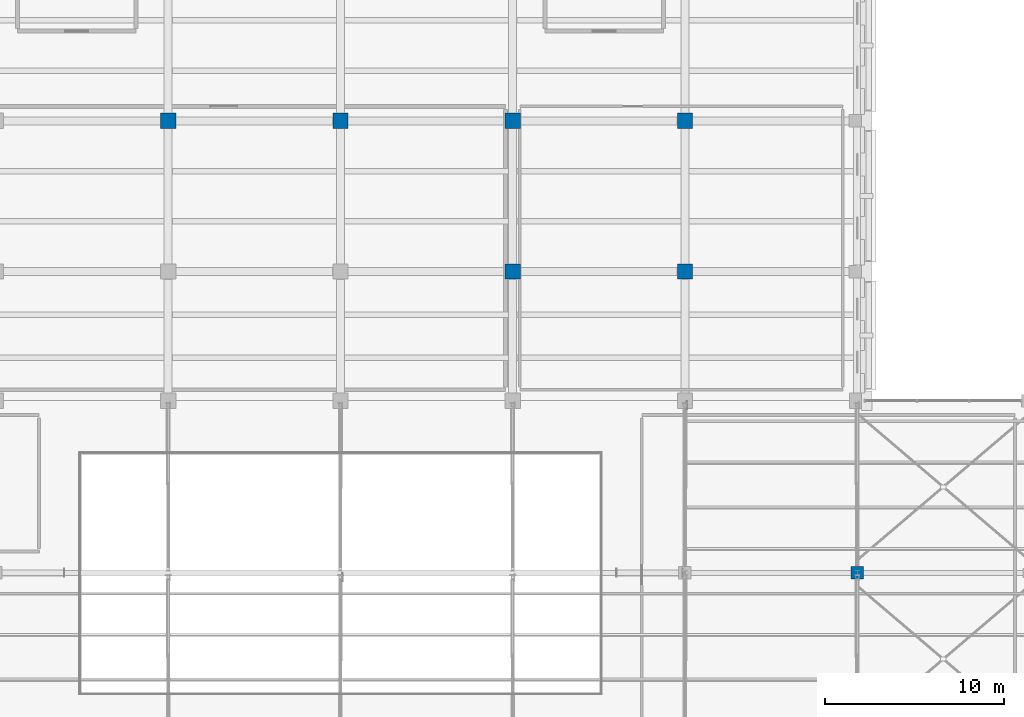
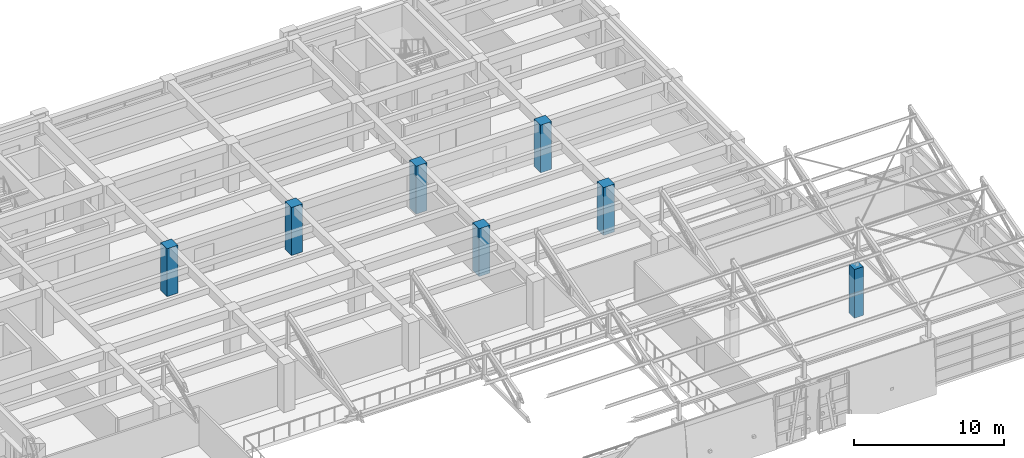
# One storey, part 9 of 58: 7 columns.
"""IFC4 building model written with IfcOpenShell, lengths in metres."""

from ifc_helpers import new_model, si_unit, direction, frame, origin, origin_2d, place, context, subcontext, project, spatial, rectangle, extrude, material, material_profile, profile_set, type_object, element, save


model = new_model("IFC4")

# Units and contexts
model_context = context("Model", 3, precision=1e-05, world=origin(), true_north=direction((0.0, 1.0)))
body_context = subcontext(model_context, "Body", "Model", "MODEL_VIEW")
ifc_project = project(units=[si_unit("LENGTHUNIT", "METRE"), si_unit("AREAUNIT", "SQUARE_METRE"), si_unit("VOLUMEUNIT", "CUBIC_METRE"), si_unit("PLANEANGLEUNIT", "RADIAN"), si_unit("MASSUNIT", "GRAM", prefix="KILO")], contexts=[model_context])

# Site, building, storey
site_placement = place(None, origin())
site = spatial("IfcSite", under=ifc_project, at=site_placement, CompositionType="ELEMENT")
building_placement = place(site_placement, origin())
building = spatial("IfcBuilding", under=site, at=building_placement, Name="Bempovik Park Faculty of Sciences", CompositionType="ELEMENT")
storey_placement = place(building_placement, frame((0.0, 0.0, 18.300048828125)))
storey = spatial("IfcBuildingStorey", under=building, at=storey_placement, Name="L04", CompositionType="ELEMENT", Elevation=18.300048828125)

# Columns
ifc_material = material(Name="Concrete C40/50", Category="concrete")
ifc_material_profile_1 = material_profile(ifc_material, rectangle(XDim=0.699951171875, YDim=0.699951171875, at=origin_2d()), Name="RC 700x700")
ifc_profile_set_1 = profile_set([ifc_material_profile_1], Name="Concrete C40/50")
column_type_1 = type_object("IfcColumnType", Name="C-34 RC 700x700", PredefinedType="COLUMN", material=ifc_profile_set_1)
column_placement = place(storey_placement, frame((117.60009765625, 77.39990234375, 0.0), z_axis=(0.0, 0.0, 1.0), x_axis=(1.0, 0.0, 0.0)))
element("IfcColumn", 1, at=column_placement, inside=storey, type_object=column_type_1, Name="L04 Structural Column (117.6,77.4)", PredefinedType="COLUMN", context=body_context, shape_type="SweptSolid", body=[
    extrude(rectangle(XDim=0.699951171875, YDim=0.699951171875, at=origin_2d()), origin(), (0.0, 0.0, 1.0), 3.97998046875),
])
ifc_material_profile_2 = material_profile(ifc_material, rectangle(XDim=0.85009765625, YDim=0.85009765625, at=origin_2d()), Name="RC 850x850")
ifc_profile_set_2 = profile_set([ifc_material_profile_2], Name="Concrete C40/50")
column_type_2 = type_object("IfcColumnType", Name="C-36 RC 850x850", PredefinedType="COLUMN", material=ifc_profile_set_2)
for number, where, z_axis, x_axis, name in (
    (2, (79.199951171875, 102.60009765625, 0.0), (0.0, 0.0, 1.0), (1.0, 0.0, 0.0), "L04 Structural Column (79.2,102.6)"),
    (3, (88.800048828125, 102.60009765625, 0.0), (0.0, 0.0, 1.0), (1.0, 0.0, 0.0), "L04 Structural Column (88.8,102.6)"),
    (4, (98.39990234375, 94.199951171875, 0.0), (0.0, 0.0, 1.0), (1.0, 0.0, 0.0), "L04 Structural Column (98.4,94.2)"),
    (5, (98.39990234375, 102.60009765625, 0.0), (0.0, 0.0, 1.0), (1.0, 0.0, 0.0), "L04 Structural Column (98.4,102.6)"),
    (6, (108.0, 94.199951171875, 0.0), (0.0, 0.0, 1.0), (1.0, 0.0, 0.0), "L04 Structural Column (108.0,94.2)"),
    (7, (108.0, 102.60009765625, 0.0), (0.0, 0.0, 1.0), (1.0, 0.0, 0.0), "L04 Structural Column (108.0,102.6)"),
):
    element("IfcColumn", number, at=place(storey_placement, frame(where, z_axis=z_axis, x_axis=x_axis)), inside=storey, type_object=column_type_2, Name=name, PredefinedType="COLUMN", context=body_context, shape_type="SweptSolid", body=[
        extrude(rectangle(XDim=0.85009765625, YDim=0.85009765625, at=origin_2d()), origin(), (0.0, 0.0, 1.0), 3.89990234375),
    ])

save(model, "model.ifc")
